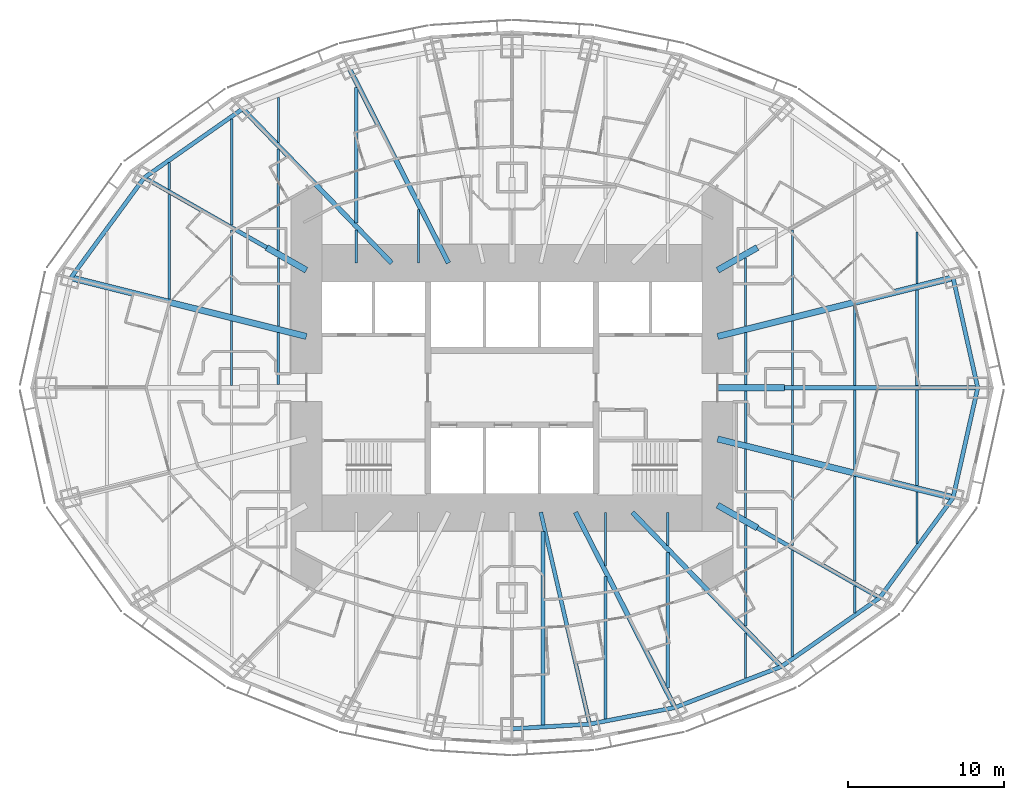
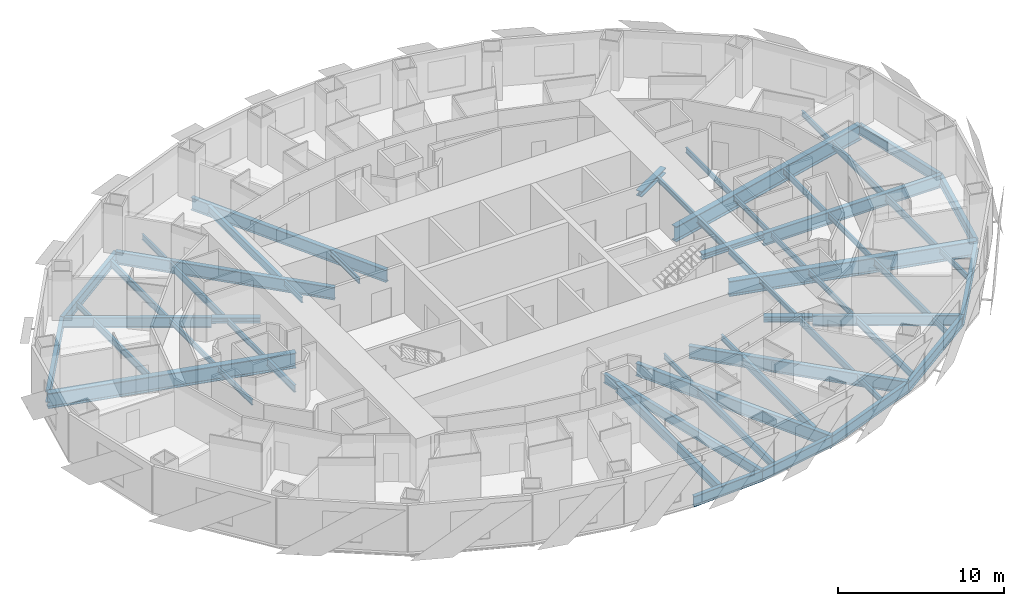
# One storey, part 2 of 17: 60 beams.
"""IFC4 building model written with IfcOpenShell, lengths in metres."""

from ifc_helpers import new_model, si_unit, direction, frame, origin, origin_2d, place, context, subcontext, project, spatial, i_section, extrude, material, material_profile, profile_set, type_object, element, save


model = new_model("IFC4")

# Units and contexts
model_context = context("Model", 3, precision=1e-05, world=origin(), true_north=direction((0.0, 1.0)))
body_context = subcontext(model_context, "Body", "Model", "MODEL_VIEW")
ifc_project = project(units=[si_unit("LENGTHUNIT", "METRE"), si_unit("AREAUNIT", "SQUARE_METRE"), si_unit("VOLUMEUNIT", "CUBIC_METRE"), si_unit("PLANEANGLEUNIT", "RADIAN"), si_unit("MASSUNIT", "GRAM", prefix="KILO")], contexts=[model_context])

# Site, building, storey
site_placement = place(None, origin())
site = spatial("IfcSite", under=ifc_project, at=site_placement, CompositionType="ELEMENT")
building_placement = place(site_placement, origin())
building = spatial("IfcBuilding", under=site, at=building_placement, Name="Lantaw Convention Tower", CompositionType="ELEMENT")
storey_placement = place(building_placement, frame((0.0, 0.0, 37.0)))
storey = spatial("IfcBuildingStorey", under=building, at=storey_placement, Name="L06", CompositionType="ELEMENT", Elevation=37.0)

# Beams
ifc_material = material(Name="Steel ASTM A992", Category="steel")
ifc_material_profile_1 = material_profile(ifc_material, i_section(OverallWidth=0.2666015625, OverallDepth=0.76953125, WebThickness=0.015625, FlangeThickness=0.025390625, FilletRadius=0.0126953125, at=origin_2d()), Name="W30X132")
ifc_profile_set_1 = profile_set([ifc_material_profile_1], Name="Steel ASTM A992")
beam_type_1 = type_object("IfcBeamType", Name="Beam E W30X132", PredefinedType="SPANDREL", material=ifc_profile_set_1)
beam_1_placement = place(storey_placement, frame((29.89990234375, 0.0, -0.534912109375), z_axis=(-0.218652184873, 0.975802860239, 0.0), x_axis=(-0.975802860239, -0.218652184873, 0.0)))
element("IfcBeam", 1, at=beam_1_placement, inside=storey, type_object=beam_type_1, Name="Edge beam 1", PredefinedType="SPANDREL", context=body_context, shape_type="SweptSolid", body=[
    extrude(i_section(OverallWidth=0.2666015625, OverallDepth=0.76953125, WebThickness=0.015625, FlangeThickness=0.025390625, FilletRadius=0.0126953125, at=origin_2d()), origin(), (0.0, 0.0, 1.0), 7.2353515625),
])
beam_2_placement = place(storey_placement, frame((-17.290771484375, 17.9052734375, -0.534912109375), z_axis=(-0.81942686407, -0.57318375277, 0.0), x_axis=(0.57318375277, -0.81942686407, 0.0)))
element("IfcBeam", 2, at=beam_2_placement, inside=storey, type_object=beam_type_1, Name="Edge beam 10", PredefinedType="SPANDREL", context=body_context, shape_type="SweptSolid", body=[
    extrude(i_section(OverallWidth=0.2666015625, OverallDepth=0.76953125, WebThickness=0.015625, FlangeThickness=0.025390625, FilletRadius=0.0126953125, at=origin_2d()), origin(), (0.0, 0.0, 1.0), 7.70556640625),
])
beam_3_placement = place(storey_placement, frame((-23.60498046875, 13.488525390625, -0.534912109375), z_axis=(-0.591270709086, -0.806473154281, 0.0), x_axis=(0.806473154281, -0.591270709086, 0.0)))
element("IfcBeam", 3, at=beam_3_placement, inside=storey, type_object=beam_type_1, Name="Edge beam 11", PredefinedType="SPANDREL", context=body_context, shape_type="SweptSolid", body=[
    extrude(i_section(OverallWidth=0.2666015625, OverallDepth=0.76953125, WebThickness=0.015625, FlangeThickness=0.025390625, FilletRadius=0.0126953125, at=origin_2d()), origin(), (0.0, 0.0, 1.0), 7.970703125),
])
beam_4_placement = place(storey_placement, frame((0.0, -21.89990234375, -0.534912109375), z_axis=(0.998173858406, 0.060406526096, 0.0), x_axis=(-0.060406526096, 0.998173858406, 0.0)))
element("IfcBeam", 4, at=beam_4_placement, inside=storey, type_object=beam_type_1, Name="Edge beam 19", PredefinedType="SPANDREL", context=body_context, shape_type="SweptSolid", body=[
    extrude(i_section(OverallWidth=0.2666015625, OverallDepth=0.76953125, WebThickness=0.015625, FlangeThickness=0.025390625, FilletRadius=0.0126953125, at=origin_2d()), origin(), (0.0, 0.0, 1.0), 4.995361328125),
])
beam_5_placement = place(storey_placement, frame((4.986328125, -21.59814453125, -0.534912109375), z_axis=(0.981636565323, 0.190760723474, 0.0), x_axis=(-0.190760723474, 0.981636565323, 0.0)))
element("IfcBeam", 5, at=beam_5_placement, inside=storey, type_object=beam_type_1, Name="Edge beam 20", PredefinedType="SPANDREL", context=body_context, shape_type="SweptSolid", body=[
    extrude(i_section(OverallWidth=0.2666015625, OverallDepth=0.76953125, WebThickness=0.015625, FlangeThickness=0.025390625, FilletRadius=0.0126953125, at=origin_2d()), origin(), (0.0, 0.0, 1.0), 5.578857421875),
])
beam_6_placement = place(storey_placement, frame((10.462646484375, -20.533935546875, -0.534912109375), z_axis=(0.933232900641, 0.359271976588, 0.0), x_axis=(-0.359271976588, 0.933232900641, 0.0)))
element("IfcBeam", 6, at=beam_6_placement, inside=storey, type_object=beam_type_1, Name="Edge beam 21", PredefinedType="SPANDREL", context=body_context, shape_type="SweptSolid", body=[
    extrude(i_section(OverallWidth=0.2666015625, OverallDepth=0.76953125, WebThickness=0.015625, FlangeThickness=0.025390625, FilletRadius=0.0126953125, at=origin_2d()), origin(), (0.0, 0.0, 1.0), 7.316650390625),
])
beam_7_placement = place(storey_placement, frame((17.290771484375, -17.9052734375, -0.534912109375), z_axis=(0.81942686407, 0.57318375277, 0.0), x_axis=(-0.57318375277, 0.81942686407, 0.0)))
element("IfcBeam", 7, at=beam_7_placement, inside=storey, type_object=beam_type_1, Name="Edge beam 22", PredefinedType="SPANDREL", context=body_context, shape_type="SweptSolid", body=[
    extrude(i_section(OverallWidth=0.2666015625, OverallDepth=0.76953125, WebThickness=0.015625, FlangeThickness=0.025390625, FilletRadius=0.0126953125, at=origin_2d()), origin(), (0.0, 0.0, 1.0), 7.70556640625),
])
beam_8_placement = place(storey_placement, frame((23.60498046875, -13.488525390625, -0.534912109375), z_axis=(0.591270709086, 0.806473154281, 0.0), x_axis=(-0.806473154281, 0.591270709086, 0.0)))
element("IfcBeam", 8, at=beam_8_placement, inside=storey, type_object=beam_type_1, Name="Edge beam 23", PredefinedType="SPANDREL", context=body_context, shape_type="SweptSolid", body=[
    extrude(i_section(OverallWidth=0.2666015625, OverallDepth=0.76953125, WebThickness=0.015625, FlangeThickness=0.025390625, FilletRadius=0.0126953125, at=origin_2d()), origin(), (0.0, 0.0, 1.0), 7.970703125),
])
beam_9_placement = place(storey_placement, frame((28.31787109375, -7.060302734375, -0.534912109375), z_axis=(0.218652184873, 0.975802860239, 0.0), x_axis=(-0.975802860239, 0.218652184873, 0.0)))
element("IfcBeam", 9, at=beam_9_placement, inside=storey, type_object=beam_type_1, Name="Edge beam 24", PredefinedType="SPANDREL", context=body_context, shape_type="SweptSolid", body=[
    extrude(i_section(OverallWidth=0.2666015625, OverallDepth=0.76953125, WebThickness=0.015625, FlangeThickness=0.025390625, FilletRadius=0.0126953125, at=origin_2d()), origin(), (0.0, 0.0, 1.0), 7.2353515625),
])
ifc_material_profile_2 = material_profile(ifc_material, i_section(OverallWidth=0.25390625, OverallDepth=0.683349609375, WebThickness=0.012451171875, FlangeThickness=0.01904296875, FilletRadius=0.01513671875, at=origin_2d()), Name="W27X94")
ifc_profile_set_2 = profile_set([ifc_material_profile_2], Name="Steel ASTM A992")
beam_type_2 = type_object("IfcBeamType", Name="Beam G W27X94", PredefinedType="BEAM", material=ifc_profile_set_2)
beam_10_placement = place(storey_placement, frame((1.846923828125, -8.0, -0.49169921875), z_axis=(0.224952773175, -0.97436966796, 0.0), x_axis=(0.97436966796, 0.224952773175, 0.0)))
element("IfcBeam", 10, at=beam_10_placement, inside=storey, type_object=beam_type_2, Name="Floor girder on ray 20", PredefinedType="BEAM", context=body_context, shape_type="SweptSolid", body=[
    extrude(i_section(OverallWidth=0.25390625, OverallDepth=0.683349609375, WebThickness=0.012451171875, FlangeThickness=0.01904296875, FilletRadius=0.01513671875, at=origin_2d()), origin(), (0.0, 0.0, 1.0), 13.955810546875),
])
ifc_material_profile_3 = material_profile(ifc_material, i_section(OverallWidth=0.2666015625, OverallDepth=0.7568359375, WebThickness=0.013916015625, FlangeThickness=0.019287109375, FilletRadius=0.0126953125, at=origin_2d()), Name="W30X108")
ifc_profile_set_3 = profile_set([ifc_material_profile_3], Name="Steel ASTM A992")
beam_type_3 = type_object("IfcBeamType", Name="Beam G W30X108", PredefinedType="BEAM", material=ifc_profile_set_3)
for number, where, z_axis, x_axis, name in (
    (11, (-15.75, 9.0, -0.528564453125), (-0.868244802791, 0.496136032179, 0.0), (-0.496136032179, -0.868244802791, 0.0), "Floor girder on ray 11"),
    (12, (15.75, -9.0, -0.528564453125), (0.868244802791, -0.496136032179, 0.0), (0.496136032179, 0.868244802791, 0.0), "Floor girder on ray 23"),
):
    element("IfcBeam", number, at=place(storey_placement, frame(where, z_axis=z_axis, x_axis=x_axis)), inside=storey, type_object=beam_type_3, Name=name, PredefinedType="BEAM", context=body_context, shape_type="SweptSolid", body=[
        extrude(i_section(OverallWidth=0.2666015625, OverallDepth=0.7568359375, WebThickness=0.013916015625, FlangeThickness=0.019287109375, FilletRadius=0.0126953125, at=origin_2d()), origin(), (0.0, 0.0, 1.0), 9.046875),
    ])
ifc_material_profile_4 = material_profile(ifc_material, i_section(OverallWidth=0.307373046875, OverallDepth=0.922119140625, WebThickness=0.018310546875, FlangeThickness=0.030029296875, FilletRadius=0.0126953125, at=origin_2d()), Name="W36X182")
ifc_profile_set_4 = profile_set([ifc_material_profile_4], Name="Steel ASTM A992")
beam_type_4 = type_object("IfcBeamType", Name="Beam G W36X182", PredefinedType="BEAM", material=ifc_profile_set_4)
beam_11_placement = place(storey_placement, frame((17.5, 0.0, -0.611083984375), z_axis=(1.0, 0.0, 0.0), x_axis=(0.0, 1.0, 0.0)))
element("IfcBeam", 13, at=beam_11_placement, inside=storey, type_object=beam_type_4, Name="Floor girder on ray 1", PredefinedType="BEAM", context=body_context, shape_type="SweptSolid", body=[
    extrude(i_section(OverallWidth=0.307373046875, OverallDepth=0.922119140625, WebThickness=0.018310546875, FlangeThickness=0.030029296875, FilletRadius=0.0126953125, at=origin_2d()), origin(), (0.0, 0.0, 1.0), 12.39990234375),
])
beam_12_placement = place(storey_placement, frame((-4.076171875, 8.0, -0.611083984375), z_axis=(-0.453997016122, 0.891003203896, 0.0), x_axis=(-0.891003203896, -0.453997016122, 0.0)))
element("IfcBeam", 14, at=beam_12_placement, inside=storey, type_object=beam_type_4, Name="Floor girder on ray 9", PredefinedType="BEAM", context=body_context, shape_type="SweptSolid", body=[
    extrude(i_section(OverallWidth=0.307373046875, OverallDepth=0.922119140625, WebThickness=0.018310546875, FlangeThickness=0.030029296875, FilletRadius=0.0126953125, at=origin_2d()), origin(), (0.0, 0.0, 1.0), 14.067138671875),
])
beam_13_placement = place(storey_placement, frame((-7.7255859375, 8.0, -0.611083984375), z_axis=(-0.694649884291, 0.719347995239, 0.0), x_axis=(-0.719347995239, -0.694649884291, 0.0)))
element("IfcBeam", 15, at=beam_13_placement, inside=storey, type_object=beam_type_4, Name="Floor girder on ray 10", PredefinedType="BEAM", context=body_context, shape_type="SweptSolid", body=[
    extrude(i_section(OverallWidth=0.307373046875, OverallDepth=0.922119140625, WebThickness=0.018310546875, FlangeThickness=0.030029296875, FilletRadius=0.0126953125, at=origin_2d()), origin(), (0.0, 0.0, 1.0), 13.769775390625),
])
beam_14_placement = place(storey_placement, frame((4.076171875, -8.0, -0.611083984375), z_axis=(0.453997016122, -0.891003203896, 0.0), x_axis=(0.891003203896, 0.453997016122, 0.0)))
element("IfcBeam", 16, at=beam_14_placement, inside=storey, type_object=beam_type_4, Name="Floor girder on ray 21", PredefinedType="BEAM", context=body_context, shape_type="SweptSolid", body=[
    extrude(i_section(OverallWidth=0.307373046875, OverallDepth=0.922119140625, WebThickness=0.018310546875, FlangeThickness=0.030029296875, FilletRadius=0.0126953125, at=origin_2d()), origin(), (0.0, 0.0, 1.0), 14.067138671875),
])
beam_15_placement = place(storey_placement, frame((7.7255859375, -8.0, -0.611083984375), z_axis=(0.694649884291, -0.719347995239, 0.0), x_axis=(0.719347995239, 0.694649884291, 0.0)))
element("IfcBeam", 17, at=beam_15_placement, inside=storey, type_object=beam_type_4, Name="Floor girder on ray 22", PredefinedType="BEAM", context=body_context, shape_type="SweptSolid", body=[
    extrude(i_section(OverallWidth=0.307373046875, OverallDepth=0.922119140625, WebThickness=0.018310546875, FlangeThickness=0.030029296875, FilletRadius=0.0126953125, at=origin_2d()), origin(), (0.0, 0.0, 1.0), 13.769775390625),
])
ifc_material_profile_5 = material_profile(ifc_material, i_section(OverallWidth=0.40380859375, OverallDepth=1.11767578125, WebThickness=0.026123046875, FlangeThickness=0.044921875, FilletRadius=0.02001953125, at=origin_2d()), Name="W44X335")
ifc_profile_set_5 = profile_set([ifc_material_profile_5], Name="Steel ASTM A992")
beam_type_5 = type_object("IfcBeamType", Name="Beam G W44X335", PredefinedType="BEAM", material=ifc_profile_set_5)
for number, where, z_axis, x_axis, name in (
    (18, (13.199951171875, 3.291015625, -0.708740234375), (0.970296233567, 0.241919860957, 0.0), (-0.241919860957, 0.970296233567, 0.0), "Floor girder on ray 2"),
    (19, (-13.199951171875, 3.291015625, -0.708740234375), (-0.970296233567, 0.241919860957, 0.0), (-0.241919860957, -0.970296233567, 0.0), "Floor girder on ray 12"),
    (20, (13.199951171875, -3.291015625, -0.708740234375), (0.970296233567, -0.241919860957, 0.0), (0.241919860957, 0.970296233567, 0.0), "Floor girder on ray 24"),
):
    element("IfcBeam", number, at=place(storey_placement, frame(where, z_axis=z_axis, x_axis=x_axis)), inside=storey, type_object=beam_type_5, Name=name, PredefinedType="BEAM", context=body_context, shape_type="SweptSolid", body=[
        extrude(i_section(OverallWidth=0.40380859375, OverallDepth=1.11767578125, WebThickness=0.026123046875, FlangeThickness=0.044921875, FilletRadius=0.02001953125, at=origin_2d()), origin(), (0.0, 0.0, 1.0), 15.580810546875),
    ])
ifc_material_profile_6 = material_profile(ifc_material, i_section(OverallWidth=0.40380859375, OverallDepth=0.406494140625, WebThickness=0.027099609375, FlangeThickness=0.043701171875, FilletRadius=0.01513671875, at=origin_2d()), Name="W14X233")
ifc_profile_set_6 = profile_set([ifc_material_profile_6], Name="Steel ASTM A992")
beam_type_6 = type_object("IfcBeamType", Name="Beam GM W14X233", PredefinedType="BEAM", material=ifc_profile_set_6)
beam_16_placement = place(storey_placement, frame((13.199951171875, 0.0, -0.353271484375), z_axis=(1.0, 0.0, 0.0), x_axis=(0.0, 1.0, 0.0)))
element("IfcBeam", 21, at=beam_16_placement, inside=storey, type_object=beam_type_6, Name="Core link beam on ray 1", PredefinedType="BEAM", context=body_context, shape_type="SweptSolid", body=[
    extrude(i_section(OverallWidth=0.40380859375, OverallDepth=0.406494140625, WebThickness=0.027099609375, FlangeThickness=0.043701171875, FilletRadius=0.01513671875, at=origin_2d()), origin(), (0.0, 0.0, 1.0), 4.300048828125),
])
for number, where, z_axis, x_axis, name in (
    (22, (13.199951171875, 7.54296875, -0.353271484375), (0.868263603466, 0.496103129295, 0.0), (-0.496103129295, 0.868263603466, 0.0), "Core link beam on ray 3"),
    (23, (-13.199951171875, 7.54296875, -0.353271484375), (-0.868263603466, 0.496103129295, 0.0), (-0.496103129295, -0.868263603466, 0.0), "Core link beam on ray 11"),
    (24, (13.199951171875, -7.54296875, -0.353271484375), (0.868263603466, -0.496103129295, 0.0), (0.496103129295, 0.868263603466, 0.0), "Core link beam on ray 23"),
):
    element("IfcBeam", number, at=place(storey_placement, frame(where, z_axis=z_axis, x_axis=x_axis)), inside=storey, type_object=beam_type_6, Name=name, PredefinedType="BEAM", context=body_context, shape_type="SweptSolid", body=[
        extrude(i_section(OverallWidth=0.40380859375, OverallDepth=0.406494140625, WebThickness=0.027099609375, FlangeThickness=0.043701171875, FilletRadius=0.01513671875, at=origin_2d()), origin(), (0.0, 0.0, 1.0), 2.93701171875),
    ])
ifc_material_profile_7 = material_profile(ifc_material, i_section(OverallWidth=0.140380859375, OverallDepth=0.40380859375, WebThickness=0.007080078125, FlangeThickness=0.01123046875, FilletRadius=0.01025390625, at=origin_2d()), Name="W16X31")
ifc_profile_set_7 = profile_set([ifc_material_profile_7], Name="Steel ASTM A992")
beam_type_7 = type_object("IfcBeamType", Name="Beam J W16X31", PredefinedType="JOIST", material=ifc_profile_set_7)
beam_17_placement = place(storey_placement, frame((-22.0, 12.72509765625, -0.35205078125), z_axis=(0.0, 1.0, 0.0), x_axis=(-1.0, 0.0, 0.0)))
element("IfcBeam", 25, at=beam_17_placement, inside=storey, type_object=beam_type_7, Name="Floor joist", PredefinedType="JOIST", context=body_context, shape_type="SweptSolid", body=[
    extrude(i_section(OverallWidth=0.140380859375, OverallDepth=0.40380859375, WebThickness=0.007080078125, FlangeThickness=0.01123046875, FilletRadius=0.01025390625, at=origin_2d()), origin(), (0.0, 0.0, 1.0), 1.723388671875),
])
beam_18_placement = place(storey_placement, frame((-18.0, 0.153564453125, -0.35205078125), z_axis=(0.0, 1.0, 0.0), x_axis=(-1.0, 0.0, 0.0)))
element("IfcBeam", 26, at=beam_18_placement, inside=storey, type_object=beam_type_7, Name="Floor joist", PredefinedType="JOIST", context=body_context, shape_type="SweptSolid", body=[
    extrude(i_section(OverallWidth=0.140380859375, OverallDepth=0.40380859375, WebThickness=0.007080078125, FlangeThickness=0.01123046875, FilletRadius=0.01025390625, at=origin_2d()), origin(), (0.0, 0.0, 1.0), 4.126220703125),
])
beam_19_placement = place(storey_placement, frame((-18.0, 4.696044921875, -0.35205078125), z_axis=(0.0, 1.0, 0.0), x_axis=(-1.0, 0.0, 0.0)))
element("IfcBeam", 27, at=beam_19_placement, inside=storey, type_object=beam_type_7, Name="Floor joist", PredefinedType="JOIST", context=body_context, shape_type="SweptSolid", body=[
    extrude(i_section(OverallWidth=0.140380859375, OverallDepth=0.40380859375, WebThickness=0.007080078125, FlangeThickness=0.01123046875, FilletRadius=0.01025390625, at=origin_2d()), origin(), (0.0, 0.0, 1.0), 5.43603515625),
])
beam_20_placement = place(storey_placement, frame((-15.0, 3.947998046875, -0.35205078125), z_axis=(0.0, 1.0, 0.0), x_axis=(-1.0, 0.0, 0.0)))
element("IfcBeam", 28, at=beam_20_placement, inside=storey, type_object=beam_type_7, Name="Floor joist", PredefinedType="JOIST", context=body_context, shape_type="SweptSolid", body=[
    extrude(i_section(OverallWidth=0.140380859375, OverallDepth=0.40380859375, WebThickness=0.007080078125, FlangeThickness=0.01123046875, FilletRadius=0.01025390625, at=origin_2d()), origin(), (0.0, 0.0, 1.0), 4.390869140625),
])
beam_21_placement = place(storey_placement, frame((-15.0, 15.754150390625, -0.35205078125), z_axis=(0.0, 1.0, 0.0), x_axis=(-1.0, 0.0, 0.0)))
element("IfcBeam", 29, at=beam_21_placement, inside=storey, type_object=beam_type_7, Name="Floor joist", PredefinedType="JOIST", context=body_context, shape_type="SweptSolid", body=[
    extrude(i_section(OverallWidth=0.140380859375, OverallDepth=0.40380859375, WebThickness=0.007080078125, FlangeThickness=0.01123046875, FilletRadius=0.01025390625, at=origin_2d()), origin(), (0.0, 0.0, 1.0), 2.89013671875),
])
beam_22_placement = place(storey_placement, frame((-10.0, 8.0, -0.35205078125), z_axis=(0.0, 1.0, 0.0), x_axis=(-1.0, 0.0, 0.0)))
element("IfcBeam", 30, at=beam_22_placement, inside=storey, type_object=beam_type_7, Name="Floor joist", PredefinedType="JOIST", context=body_context, shape_type="SweptSolid", body=[
    extrude(i_section(OverallWidth=0.140380859375, OverallDepth=0.40380859375, WebThickness=0.007080078125, FlangeThickness=0.01123046875, FilletRadius=0.01025390625, at=origin_2d()), origin(), (0.0, 0.0, 1.0), 2.134033203125),
])
for number, where, z_axis, x_axis, name in (
    (31, (-6.0, 8.0, -0.35205078125), (0.0, 1.0, 0.0), (-1.0, 0.0, 0.0), "Floor joist"),
    (32, (6.0, -11.437255859375, -0.35205078125), (0.0, 1.0, 0.0), (-1.0, 0.0, 0.0), "Floor joist"),
):
    element("IfcBeam", number, at=place(storey_placement, frame(where, z_axis=z_axis, x_axis=x_axis)), inside=storey, type_object=beam_type_7, Name=name, PredefinedType="JOIST", context=body_context, shape_type="SweptSolid", body=[
        extrude(i_section(OverallWidth=0.140380859375, OverallDepth=0.40380859375, WebThickness=0.007080078125, FlangeThickness=0.01123046875, FilletRadius=0.01025390625, at=origin_2d()), origin(), (0.0, 0.0, 1.0), 3.437255859375),
    ])
beam_23_placement = place(storey_placement, frame((10.0, -10.134033203125, -0.35205078125), z_axis=(0.0, 1.0, 0.0), x_axis=(-1.0, 0.0, 0.0)))
element("IfcBeam", 33, at=beam_23_placement, inside=storey, type_object=beam_type_7, Name="Floor joist", PredefinedType="JOIST", context=body_context, shape_type="SweptSolid", body=[
    extrude(i_section(OverallWidth=0.140380859375, OverallDepth=0.40380859375, WebThickness=0.007080078125, FlangeThickness=0.01123046875, FilletRadius=0.01025390625, at=origin_2d()), origin(), (0.0, 0.0, 1.0), 2.134033203125),
])
beam_24_placement = place(storey_placement, frame((15.0, -18.644287109375, -0.35205078125), z_axis=(0.0, 1.0, 0.0), x_axis=(-1.0, 0.0, 0.0)))
element("IfcBeam", 34, at=beam_24_placement, inside=storey, type_object=beam_type_7, Name="Floor joist", PredefinedType="JOIST", context=body_context, shape_type="SweptSolid", body=[
    extrude(i_section(OverallWidth=0.140380859375, OverallDepth=0.40380859375, WebThickness=0.007080078125, FlangeThickness=0.01123046875, FilletRadius=0.01025390625, at=origin_2d()), origin(), (0.0, 0.0, 1.0), 2.89013671875),
])
for number, where, z_axis, x_axis, name in (
    (35, (15.0, -8.3388671875, -0.35205078125), (0.0, 1.0, 0.0), (-1.0, 0.0, 0.0), "Floor joist"),
    (36, (15.0, 3.947998046875, -0.35205078125), (0.0, 1.0, 0.0), (-1.0, 0.0, 0.0), "Floor joist"),
):
    element("IfcBeam", number, at=place(storey_placement, frame(where, z_axis=z_axis, x_axis=x_axis)), inside=storey, type_object=beam_type_7, Name=name, PredefinedType="JOIST", context=body_context, shape_type="SweptSolid", body=[
        extrude(i_section(OverallWidth=0.140380859375, OverallDepth=0.40380859375, WebThickness=0.007080078125, FlangeThickness=0.01123046875, FilletRadius=0.01025390625, at=origin_2d()), origin(), (0.0, 0.0, 1.0), 4.390869140625),
    ])
beam_25_placement = place(storey_placement, frame((18.0, -10.132080078125, -0.35205078125), z_axis=(0.0, 1.0, 0.0), x_axis=(-1.0, 0.0, 0.0)))
element("IfcBeam", 37, at=beam_25_placement, inside=storey, type_object=beam_type_7, Name="Floor joist", PredefinedType="JOIST", context=body_context, shape_type="SweptSolid", body=[
    extrude(i_section(OverallWidth=0.140380859375, OverallDepth=0.40380859375, WebThickness=0.007080078125, FlangeThickness=0.01123046875, FilletRadius=0.01025390625, at=origin_2d()), origin(), (0.0, 0.0, 1.0), 5.43603515625),
])
for number, where, z_axis, x_axis, name in (
    (38, (18.0, -4.27978515625, -0.35205078125), (0.0, 1.0, 0.0), (-1.0, 0.0, 0.0), "Floor joist"),
    (39, (18.0, 0.153564453125, -0.35205078125), (0.0, 1.0, 0.0), (-1.0, 0.0, 0.0), "Floor joist"),
):
    element("IfcBeam", number, at=place(storey_placement, frame(where, z_axis=z_axis, x_axis=x_axis)), inside=storey, type_object=beam_type_7, Name=name, PredefinedType="JOIST", context=body_context, shape_type="SweptSolid", body=[
        extrude(i_section(OverallWidth=0.140380859375, OverallDepth=0.40380859375, WebThickness=0.007080078125, FlangeThickness=0.01123046875, FilletRadius=0.01025390625, at=origin_2d()), origin(), (0.0, 0.0, 1.0), 4.126220703125),
    ])
beam_26_placement = place(storey_placement, frame((18.0, 4.696044921875, -0.35205078125), z_axis=(0.0, 1.0, 0.0), x_axis=(-1.0, 0.0, 0.0)))
element("IfcBeam", 40, at=beam_26_placement, inside=storey, type_object=beam_type_7, Name="Floor joist", PredefinedType="JOIST", context=body_context, shape_type="SweptSolid", body=[
    extrude(i_section(OverallWidth=0.140380859375, OverallDepth=0.40380859375, WebThickness=0.007080078125, FlangeThickness=0.01123046875, FilletRadius=0.01025390625, at=origin_2d()), origin(), (0.0, 0.0, 1.0), 5.43603515625),
])
beam_27_placement = place(storey_placement, frame((22.0, -14.448486328125, -0.35205078125), z_axis=(0.0, 1.0, 0.0), x_axis=(-1.0, 0.0, 0.0)))
element("IfcBeam", 41, at=beam_27_placement, inside=storey, type_object=beam_type_7, Name="Floor joist", PredefinedType="JOIST", context=body_context, shape_type="SweptSolid", body=[
    extrude(i_section(OverallWidth=0.140380859375, OverallDepth=0.40380859375, WebThickness=0.007080078125, FlangeThickness=0.01123046875, FilletRadius=0.01025390625, at=origin_2d()), origin(), (0.0, 0.0, 1.0), 1.723388671875),
])
beam_28_placement = place(storey_placement, frame((22.0, -5.277099609375, -0.35205078125), z_axis=(0.0, 1.0, 0.0), x_axis=(-1.0, 0.0, 0.0)))
element("IfcBeam", 42, at=beam_28_placement, inside=storey, type_object=beam_type_7, Name="Floor joist", PredefinedType="JOIST", context=body_context, shape_type="SweptSolid", body=[
    extrude(i_section(OverallWidth=0.140380859375, OverallDepth=0.40380859375, WebThickness=0.007080078125, FlangeThickness=0.01123046875, FilletRadius=0.01025390625, at=origin_2d()), origin(), (0.0, 0.0, 1.0), 5.12353515625),
])
for number, where, z_axis, x_axis, name in (
    (43, (26.0, -9.996337890625, -0.35205078125), (0.0, 1.0, 0.0), (-1.0, 0.0, 0.0), "Floor joist"),
    (44, (26.0, 6.690673828125, -0.35205078125), (0.0, 1.0, 0.0), (-1.0, 0.0, 0.0), "Floor joist"),
):
    element("IfcBeam", number, at=place(storey_placement, frame(where, z_axis=z_axis, x_axis=x_axis)), inside=storey, type_object=beam_type_7, Name=name, PredefinedType="JOIST", context=body_context, shape_type="SweptSolid", body=[
        extrude(i_section(OverallWidth=0.140380859375, OverallDepth=0.40380859375, WebThickness=0.007080078125, FlangeThickness=0.01123046875, FilletRadius=0.01025390625, at=origin_2d()), origin(), (0.0, 0.0, 1.0), 3.3056640625),
    ])
ifc_material_profile_8 = material_profile(ifc_material, i_section(OverallWidth=0.15234375, OverallDepth=0.449462890625, WebThickness=0.007568359375, FlangeThickness=0.0107421875, FilletRadius=0.01025390625, at=origin_2d()), Name="W18X35")
ifc_profile_set_8 = profile_set([ifc_material_profile_8], Name="Steel ASTM A992")
beam_type_8 = type_object("IfcBeamType", Name="Beam J W18X35", PredefinedType="JOIST", material=ifc_profile_set_8)
beam_29_placement = place(storey_placement, frame((22.0, 0.153564453125, -0.374755859375), z_axis=(0.0, 1.0, 0.0), x_axis=(-1.0, 0.0, 0.0)))
element("IfcBeam", 45, at=beam_29_placement, inside=storey, type_object=beam_type_8, Name="Floor joist", PredefinedType="JOIST", context=body_context, shape_type="SweptSolid", body=[
    extrude(i_section(OverallWidth=0.15234375, OverallDepth=0.449462890625, WebThickness=0.007568359375, FlangeThickness=0.0107421875, FilletRadius=0.01025390625, at=origin_2d()), origin(), (0.0, 0.0, 1.0), 5.12353515625),
])
ifc_material_profile_9 = material_profile(ifc_material, i_section(OverallWidth=0.1650390625, OverallDepth=0.52587890625, WebThickness=0.0087890625, FlangeThickness=0.011474609375, FilletRadius=0.0126953125, at=origin_2d()), Name="W21X44")
ifc_profile_set_9 = profile_set([ifc_material_profile_9], Name="Steel ASTM A992")
beam_type_9 = type_object("IfcBeamType", Name="Beam J W21X44", PredefinedType="JOIST", material=ifc_profile_set_9)
beam_30_placement = place(storey_placement, frame((-22.0, 5.693359375, -0.412841796875), z_axis=(0.0, 1.0, 0.0), x_axis=(-1.0, 0.0, 0.0)))
element("IfcBeam", 46, at=beam_30_placement, inside=storey, type_object=beam_type_9, Name="Floor joist", PredefinedType="JOIST", context=body_context, shape_type="SweptSolid", body=[
    extrude(i_section(OverallWidth=0.1650390625, OverallDepth=0.52587890625, WebThickness=0.0087890625, FlangeThickness=0.011474609375, FilletRadius=0.0126953125, at=origin_2d()), origin(), (0.0, 0.0, 1.0), 6.724609375),
])
beam_31_placement = place(storey_placement, frame((-18.0, 10.439208984375, -0.412841796875), z_axis=(0.0, 1.0, 0.0), x_axis=(-1.0, 0.0, 0.0)))
element("IfcBeam", 47, at=beam_31_placement, inside=storey, type_object=beam_type_9, Name="Floor joist", PredefinedType="JOIST", context=body_context, shape_type="SweptSolid", body=[
    extrude(i_section(OverallWidth=0.1650390625, OverallDepth=0.52587890625, WebThickness=0.0087890625, FlangeThickness=0.011474609375, FilletRadius=0.0126953125, at=origin_2d()), origin(), (0.0, 0.0, 1.0), 6.80712890625),
])
for number, where, z_axis, x_axis, name in (
    (48, (-15.0, 8.803955078125, -0.412841796875), (0.0, 1.0, 0.0), (-1.0, 0.0, 0.0), "Floor joist"),
    (49, (15.0, -15.311767578125, -0.412841796875), (0.0, 1.0, 0.0), (-1.0, 0.0, 0.0), "Floor joist"),
):
    element("IfcBeam", number, at=place(storey_placement, frame(where, z_axis=z_axis, x_axis=x_axis)), inside=storey, type_object=beam_type_9, Name=name, PredefinedType="JOIST", context=body_context, shape_type="SweptSolid", body=[
        extrude(i_section(OverallWidth=0.1650390625, OverallDepth=0.52587890625, WebThickness=0.0087890625, FlangeThickness=0.011474609375, FilletRadius=0.0126953125, at=origin_2d()), origin(), (0.0, 0.0, 1.0), 6.5078125),
    ])
beam_32_placement = place(storey_placement, frame((18.0, -17.246337890625, -0.412841796875), z_axis=(0.0, 1.0, 0.0), x_axis=(-1.0, 0.0, 0.0)))
element("IfcBeam", 50, at=beam_32_placement, inside=storey, type_object=beam_type_9, Name="Floor joist", PredefinedType="JOIST", context=body_context, shape_type="SweptSolid", body=[
    extrude(i_section(OverallWidth=0.1650390625, OverallDepth=0.52587890625, WebThickness=0.0087890625, FlangeThickness=0.011474609375, FilletRadius=0.0126953125, at=origin_2d()), origin(), (0.0, 0.0, 1.0), 6.80712890625),
])
beam_33_placement = place(storey_placement, frame((22.0, -12.41796875, -0.412841796875), z_axis=(0.0, 1.0, 0.0), x_axis=(-1.0, 0.0, 0.0)))
element("IfcBeam", 51, at=beam_33_placement, inside=storey, type_object=beam_type_9, Name="Floor joist", PredefinedType="JOIST", context=body_context, shape_type="SweptSolid", body=[
    extrude(i_section(OverallWidth=0.1650390625, OverallDepth=0.52587890625, WebThickness=0.0087890625, FlangeThickness=0.011474609375, FilletRadius=0.0126953125, at=origin_2d()), origin(), (0.0, 0.0, 1.0), 6.724609375),
])
ifc_material_profile_10 = material_profile(ifc_material, i_section(OverallWidth=0.165771484375, OverallDepth=0.5283203125, WebThickness=0.009765625, FlangeThickness=0.013671875, FilletRadius=0.012939453125, at=origin_2d()), Name="W21X50")
ifc_profile_set_10 = profile_set([ifc_material_profile_10], Name="Steel ASTM A992")
beam_type_10 = type_object("IfcBeamType", Name="Beam J W21X50", PredefinedType="JOIST", material=ifc_profile_set_10)
for number, where, z_axis, x_axis, name in (
    (52, (-15.0, 0.201904296875, -0.4140625), (0.0, 1.0, 0.0), (-1.0, 0.0, 0.0), "Floor joist"),
    (53, (15.0, -3.53173828125, -0.4140625), (0.0, 1.0, 0.0), (-1.0, 0.0, 0.0), "Floor joist"),
    (54, (15.0, 0.201904296875, -0.4140625), (0.0, 1.0, 0.0), (-1.0, 0.0, 0.0), "Floor joist"),
):
    element("IfcBeam", number, at=place(storey_placement, frame(where, z_axis=z_axis, x_axis=x_axis)), inside=storey, type_object=beam_type_10, Name=name, PredefinedType="JOIST", context=body_context, shape_type="SweptSolid", body=[
        extrude(i_section(OverallWidth=0.165771484375, OverallDepth=0.5283203125, WebThickness=0.009765625, FlangeThickness=0.013671875, FilletRadius=0.012939453125, at=origin_2d()), origin(), (0.0, 0.0, 1.0), 3.329833984375),
    ])
for number, where, z_axis, x_axis, name in (
    (55, (26.0, -6.2744140625, -0.4140625), (0.0, 1.0, 0.0), (-1.0, 0.0, 0.0), "Floor joist"),
    (56, (26.0, 0.153564453125, -0.4140625), (0.0, 1.0, 0.0), (-1.0, 0.0, 0.0), "Floor joist"),
):
    element("IfcBeam", number, at=place(storey_placement, frame(where, z_axis=z_axis, x_axis=x_axis)), inside=storey, type_object=beam_type_10, Name=name, PredefinedType="JOIST", context=body_context, shape_type="SweptSolid", body=[
        extrude(i_section(OverallWidth=0.165771484375, OverallDepth=0.5283203125, WebThickness=0.009765625, FlangeThickness=0.013671875, FilletRadius=0.012939453125, at=origin_2d()), origin(), (0.0, 0.0, 1.0), 6.120849609375),
    ])
ifc_material_profile_11 = material_profile(ifc_material, i_section(OverallWidth=0.2099609375, OverallDepth=0.535888671875, WebThickness=0.010986328125, FlangeThickness=0.017333984375, FilletRadius=0.012939453125, at=origin_2d()), Name="W21X68")
ifc_profile_set_11 = profile_set([ifc_material_profile_11], Name="Steel ASTM A992")
beam_type_11 = type_object("IfcBeamType", Name="Beam J W21X68", PredefinedType="JOIST", material=ifc_profile_set_11)
beam_34_placement = place(storey_placement, frame((6.0, -21.26513671875, -0.41796875), z_axis=(0.0, 1.0, 0.0), x_axis=(-1.0, 0.0, 0.0)))
element("IfcBeam", 57, at=beam_34_placement, inside=storey, type_object=beam_type_11, Name="Floor joist", PredefinedType="JOIST", context=body_context, shape_type="SweptSolid", body=[
    extrude(i_section(OverallWidth=0.2099609375, OverallDepth=0.535888671875, WebThickness=0.010986328125, FlangeThickness=0.017333984375, FilletRadius=0.012939453125, at=origin_2d()), origin(), (0.0, 0.0, 1.0), 9.15087890625),
])
ifc_material_profile_12 = material_profile(ifc_material, i_section(OverallWidth=0.227783203125, OverallDepth=0.60205078125, WebThickness=0.010498046875, FlangeThickness=0.014892578125, FilletRadius=0.012939453125, at=origin_2d()), Name="W24X68")
ifc_profile_set_12 = profile_set([ifc_material_profile_12], Name="Steel ASTM A992")
beam_type_12 = type_object("IfcBeamType", Name="Beam J W24X68", PredefinedType="JOIST", material=ifc_profile_set_12)
for number, where, z_axis, x_axis, name in (
    (58, (-10.0, 10.576416015625, -0.450927734375), (0.0, 1.0, 0.0), (-1.0, 0.0, 0.0), "Floor joist"),
    (59, (10.0, -19.28759765625, -0.450927734375), (0.0, 1.0, 0.0), (-1.0, 0.0, 0.0), "Floor joist"),
):
    element("IfcBeam", number, at=place(storey_placement, frame(where, z_axis=z_axis, x_axis=x_axis)), inside=storey, type_object=beam_type_12, Name=name, PredefinedType="JOIST", context=body_context, shape_type="SweptSolid", body=[
        extrude(i_section(OverallWidth=0.227783203125, OverallDepth=0.60205078125, WebThickness=0.010498046875, FlangeThickness=0.014892578125, FilletRadius=0.012939453125, at=origin_2d()), origin(), (0.0, 0.0, 1.0), 8.711181640625),
    ])
ifc_material_profile_13 = material_profile(ifc_material, i_section(OverallWidth=0.25390625, OverallDepth=0.700927734375, WebThickness=0.015380859375, FlangeThickness=0.02783203125, FilletRadius=0.01513671875, at=origin_2d()), Name="W27X129")
ifc_profile_set_13 = profile_set([ifc_material_profile_13], Name="Steel ASTM A992")
beam_type_13 = type_object("IfcBeamType", Name="Beam J W27X129", PredefinedType="JOIST", material=ifc_profile_set_13)
beam_35_placement = place(storey_placement, frame((2.0, -21.645263671875, -0.50048828125), z_axis=(0.0, 1.0, 0.0), x_axis=(-1.0, 0.0, 0.0)))
element("IfcBeam", 60, at=beam_35_placement, inside=storey, type_object=beam_type_13, Name="Floor joist", PredefinedType="JOIST", context=body_context, shape_type="SweptSolid", body=[
    extrude(i_section(OverallWidth=0.25390625, OverallDepth=0.700927734375, WebThickness=0.015380859375, FlangeThickness=0.02783203125, FilletRadius=0.01513671875, at=origin_2d()), origin(), (0.0, 0.0, 1.0), 12.417724609375),
])

save(model, "model.ifc")
